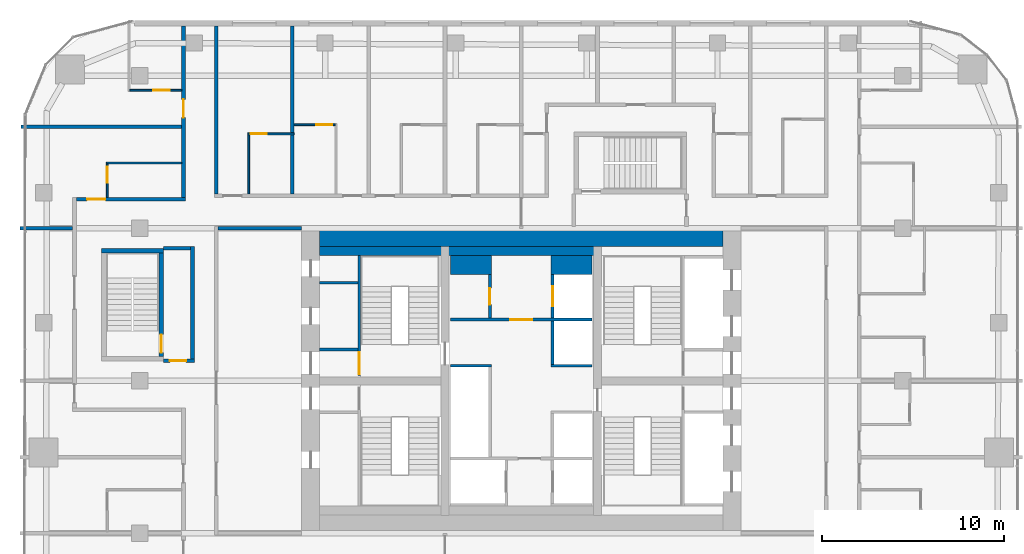
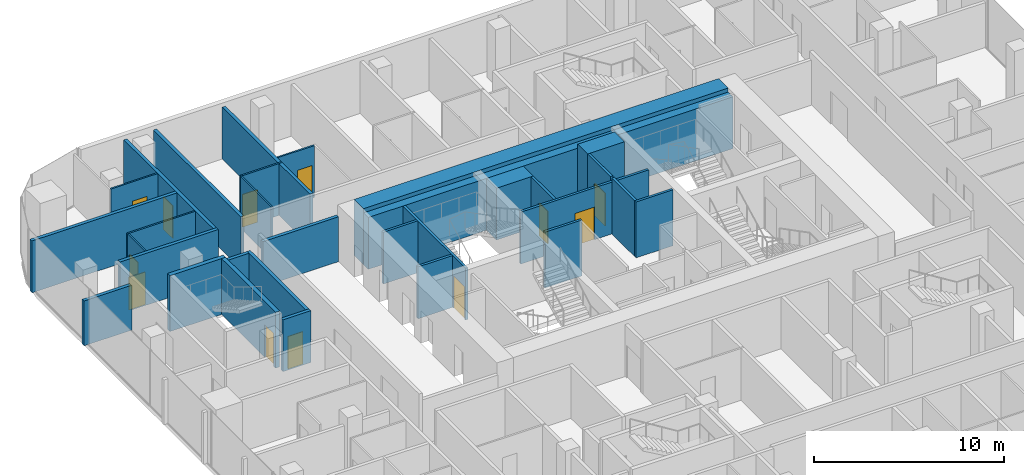
# One storey, part 18 of 23: 31 walls, 12 doors, 12 openings.
"""IFC4 building model written with IfcOpenShell, lengths in metres."""

from ifc_helpers import new_model, si_unit, direction, frame, frame_2d, origin, place, context, subcontext, project, spatial, rectangle, extrude, material, layer, layer_set, type_object, element, fill, save


model = new_model("IFC4")

# Units and contexts
model_context = context("Model", 3, precision=1e-05, world=origin(), true_north=direction((0.0, 1.0)))
body_context = subcontext(model_context, "Body", "Model", "MODEL_VIEW")
ifc_project = project(units=[si_unit("LENGTHUNIT", "METRE"), si_unit("AREAUNIT", "SQUARE_METRE"), si_unit("VOLUMEUNIT", "CUBIC_METRE"), si_unit("PLANEANGLEUNIT", "RADIAN"), si_unit("MASSUNIT", "GRAM", prefix="KILO")], contexts=[model_context])

# Site, building, storey
site_placement = place(None, origin())
site = spatial("IfcSite", under=ifc_project, at=site_placement, CompositionType="ELEMENT")
building_placement = place(site_placement, origin())
building = spatial("IfcBuilding", under=site, at=building_placement, Name="Marenta Gate Hotel Tower", CompositionType="ELEMENT")
storey_placement = place(building_placement, frame((0.0, 0.0, 119.300048828125)))
storey = spatial("IfcBuildingStorey", under=building, at=storey_placement, Name="L26", CompositionType="ELEMENT", Elevation=119.300048828125)

# Walls
ifc_material_1 = material(Name="Concrete blockwork", Category="masonry")
ifc_layer_1 = layer(ifc_material_1, 0.199951171875)
ifc_layer_set_1 = layer_set([ifc_layer_1], Name="Concrete blockwork")
wall_type_1 = type_object("IfcWallType", Name="Core boundary wall 200 REI 180", PredefinedType="PARTITIONING", material=ifc_layer_set_1)
wall_1_placement = place(storey_placement, frame((-16.699951171875, 16.800048828125, 0.0), z_axis=(0.0, 0.0, 1.0), x_axis=(1.0, 0.0, 0.0)))
element("IfcWall", 1, at=wall_1_placement, inside=storey, type_object=wall_type_1, Name="L26-CP-EW-WN", PredefinedType="PARTITIONING", context=body_context, shape_type="SweptSolid", body=[
    extrude(rectangle(XDim=4.599853515625, YDim=0.199951171875, at=frame_2d((2.2998046875, 0.0))), origin(), (0.0, 0.0, 1.0), 2.889892578125),
])
ifc_material_2 = material(Name="Concrete C40", Category="concrete")
ifc_layer_2 = layer(ifc_material_2, 0.5)
ifc_layer_set_2 = layer_set([ifc_layer_2], Name="Concrete C40")
wall_type_2 = type_object("IfcWallType", Name="Core lining wall 500 REI 180", PredefinedType="PARTITIONING", material=ifc_layer_set_2)
wall_2_placement = place(storey_placement, frame((-11.10009765625, 15.550048828125, 0.0), z_axis=(0.0, 0.0, 1.0), x_axis=(1.0, 0.0, 0.0)))
element("IfcWall", 2, at=wall_2_placement, inside=storey, type_object=wall_type_2, Name="L26-CP-LN-N", PredefinedType="PARTITIONING", context=body_context, shape_type="SweptSolid", body=[
    extrude(rectangle(XDim=22.2001953125, YDim=0.5, at=frame_2d((11.10009765625, 0.0))), origin(), (0.0, 0.0, 1.0), 3.33984375),
])

# Wall, opening, door
ifc_material_3 = material(Name="Concrete blockwork", Category="masonry")
ifc_layer_3 = layer(ifc_material_3, 0.14990234375)
ifc_layer_set_3 = layer_set([ifc_layer_3], Name="Concrete blockwork")
wall_type_3 = type_object("IfcWallType", Name="Core lobby partition 150 REI 180", PredefinedType="PARTITIONING", material=ifc_layer_set_3)
wall_3_placement = place(storey_placement, frame((-3.89990234375, 11.77490234375, 0.0), z_axis=(0.0, 0.0, 1.0), x_axis=(1.0, 0.0, 0.0)))
wall_3 = element("IfcWall", 3, at=wall_3_placement, inside=storey, type_object=wall_type_3, Name="L26-CP-CW-N", PredefinedType="PARTITIONING", context=body_context, shape_type="SweptSolid", body=[
    extrude(rectangle(XDim=7.7998046875, YDim=0.14990234375, at=frame_2d((3.89990234375, 0.0))), origin(), (0.0, 0.0, 1.0), 3.33984375),
])
opening_1_placement = place(wall_3_placement, frame((3.300048828125, 0.0, 0.0)))
opening_1 = element("IfcOpeningElement", 4, at=opening_1_placement, cuts=wall_3, Name="Opening FD-FFN", PredefinedType="OPENING", context=body_context, shape_type="SweptSolid", body=[
    extrude(rectangle(XDim=1.199951171875, YDim=2.10009765625, at=frame_2d((0.60009765625, 1.050048828125))), frame((0.0, 0.074951171875, 0.0), z_axis=(0.0, -1.0, 0.0), x_axis=(1.0, 0.0, 0.0)), (0.0, 0.0, 1.0), 0.14990234375),
])
ifc_material_4 = material(Name="Steel", Category="steel")
door_type_1 = type_object("IfcDoorType", Name="Core lobby door 1200x2100 FD60", OperationType="SINGLE_SWING_LEFT", PredefinedType="DOOR", material=ifc_material_4)
door_1_placement = place(opening_1_placement, origin())
door_1 = element("IfcDoor", 5, at=door_1_placement, inside=storey, type_object=door_type_1, Name="FD-FFN", OperationType="SINGLE_SWING_LEFT", OverallHeight=2.10009765625, OverallWidth=1.199951171875, PredefinedType="DOOR", context=body_context, shape_type="SweptSolid", body=[
    extrude(rectangle(XDim=1.199951171875, YDim=2.10009765625, at=frame_2d((0.60009765625, 1.050048828125))), frame((0.0, 0.02490234375, 0.0), z_axis=(0.0, -1.0, 0.0), x_axis=(1.0, 0.0, 0.0)), (0.0, 0.0, 1.0), 0.050048828125),
])
fill(opening_1, door_1)

# Walls
ifc_material_5 = material(Name="Concrete blockwork", Category="masonry")
ifc_layer_4 = layer(ifc_material_5, 1.050048828125)
ifc_layer_set_4 = layer_set([ifc_layer_4], Name="Concrete blockwork")
wall_type_4 = type_object("IfcWallType", Name="Core room partition 1050 REI 180", PredefinedType="PARTITIONING", material=ifc_layer_set_4)
wall_4_placement = place(storey_placement, frame((-3.89990234375, 14.77490234375, 0.0), z_axis=(0.0, 0.0, 1.0), x_axis=(1.0, 0.0, 0.0)))
element("IfcWall", 6, at=wall_4_placement, inside=storey, type_object=wall_type_4, Name="L26-CP-CW-W-riser-N", PredefinedType="PARTITIONING", context=body_context, shape_type="SweptSolid", body=[
    extrude(rectangle(XDim=2.25, YDim=1.050048828125, at=frame_2d((1.125, 0.0))), origin(), (0.0, 0.0, 1.0), 3.33984375),
])
ifc_material_6 = material(Name="Concrete blockwork", Category="masonry")
ifc_layer_5 = layer(ifc_material_6, 0.14990234375)
ifc_layer_set_5 = layer_set([ifc_layer_5], Name="Concrete blockwork")
wall_type_5 = type_object("IfcWallType", Name="Core room partition 150 REI 180", PredefinedType="PARTITIONING", material=ifc_layer_set_5)
for number, where, z_axis, x_axis, name in (
    (7, (-11.10009765625, 10.125, 0.0), (0.0, 0.0, 1.0), (1.0, 0.0, 0.0), "L26-CP-SW-WN-2"),
    (8, (-11.10009765625, 13.800048828125, 0.0), (0.0, 0.0, 1.0), (1.0, 0.0, 0.0), "L26-CP-RW-WN-1"),
):
    element("IfcWall", number, at=place(storey_placement, frame(where, z_axis=z_axis, x_axis=x_axis)), inside=storey, type_object=wall_type_5, Name=name, PredefinedType="PARTITIONING", context=body_context, shape_type="SweptSolid", body=[
        extrude(rectangle(XDim=2.10009765625, YDim=0.14990234375, at=frame_2d((1.050048828125, 0.0))), origin(), (0.0, 0.0, 1.0), 3.33984375),
    ])

# Wall, opening, door
wall_5_placement = place(storey_placement, frame((-1.72509765625, 11.85009765625, 0.0), z_axis=(0.0, 0.0, 1.0), x_axis=(0.0, 1.0, 0.0)))
wall_5 = element("IfcWall", 9, at=wall_5_placement, inside=storey, type_object=wall_type_5, Name="L26-CP-CW-W-riser-front", PredefinedType="PARTITIONING", context=body_context, shape_type="SweptSolid", body=[
    extrude(rectangle(XDim=2.39990234375, YDim=0.14990234375, at=frame_2d((1.199951171875, 0.0))), origin(), (0.0, 0.0, 1.0), 3.33984375),
])
opening_2_placement = place(wall_5_placement, frame((0.75, 0.0, 0.0)))
opening_2 = element("IfcOpeningElement", 10, at=opening_2_placement, cuts=wall_5, Name="Opening RD-CRISER", PredefinedType="OPENING", context=body_context, shape_type="SweptSolid", body=[
    extrude(rectangle(XDim=0.89990234375, YDim=2.10009765625, at=frame_2d((0.449951171875, 1.050048828125))), frame((0.0, 0.074951171875, 0.0), z_axis=(0.0, -1.0, 0.0), x_axis=(1.0, 0.0, 0.0)), (0.0, 0.0, 1.0), 0.14990234375),
])
ifc_material_7 = material(Name="Steel", Category="steel")
door_type_2 = type_object("IfcDoorType", Name="Core riser door 900x2100 FD60", OperationType="SINGLE_SWING_LEFT", PredefinedType="DOOR", material=ifc_material_7)
door_2_placement = place(opening_2_placement, origin())
door_2 = element("IfcDoor", 11, at=door_2_placement, inside=storey, type_object=door_type_2, Name="RD-CRISER", OperationType="SINGLE_SWING_LEFT", OverallHeight=2.10009765625, OverallWidth=0.89990234375, PredefinedType="DOOR", context=body_context, shape_type="SweptSolid", body=[
    extrude(rectangle(XDim=0.89990234375, YDim=2.10009765625, at=frame_2d((0.449951171875, 1.050048828125))), frame((0.0, 0.02490234375, 0.0), z_axis=(0.0, -1.0, 0.0), x_axis=(1.0, 0.0, 0.0)), (0.0, 0.0, 1.0), 0.050048828125),
])
fill(opening_2, door_2)

# Walls
ifc_material_8 = material(Name="Concrete C40", Category="concrete")
ifc_layer_6 = layer(ifc_material_8, 1.050048828125)
ifc_layer_set_6 = layer_set([ifc_layer_6], Name="Concrete C40")
wall_type_6 = type_object("IfcWallType", Name="Core shaft wall 1050 REI 180", PredefinedType="SHEAR", material=ifc_layer_set_6)
wall_6_placement = place(storey_placement, frame((1.64990234375, 14.77490234375, 0.0), z_axis=(0.0, 0.0, 1.0), x_axis=(1.0, 0.0, 0.0)))
element("IfcWall", 12, at=wall_6_placement, inside=storey, type_object=wall_type_6, Name="L26-SHF-CE-N-top", PredefinedType="SHEAR", context=body_context, shape_type="SweptSolid", body=[
    extrude(rectangle(XDim=2.25, YDim=1.050048828125, at=frame_2d((1.125, 0.0))), origin(), (0.0, 0.0, 1.0), 3.599853515625),
])
ifc_material_9 = material(Name="Concrete C40", Category="concrete")
ifc_layer_7 = layer(ifc_material_9, 0.14990234375)
ifc_layer_set_7 = layer_set([ifc_layer_7], Name="Concrete C40")
wall_type_7 = type_object("IfcWallType", Name="Core shaft wall 150 REI 180", PredefinedType="SHEAR", material=ifc_layer_set_7)
wall_7_placement = place(storey_placement, frame((-3.89990234375, 9.22509765625, 0.0), z_axis=(0.0, 0.0, 1.0), x_axis=(1.0, 0.0, 0.0)))
element("IfcWall", 13, at=wall_7_placement, inside=storey, type_object=wall_type_7, Name="L26-SHF-CW-W-sep", PredefinedType="SHEAR", context=body_context, shape_type="SweptSolid", body=[
    extrude(rectangle(XDim=2.25, YDim=0.14990234375, at=frame_2d((1.125, 0.0))), origin(), (0.0, 0.0, 1.0), 3.599853515625),
])

# Wall, opening, door
wall_8_placement = place(storey_placement, frame((1.72509765625, 11.85009765625, 0.0), z_axis=(0.0, 0.0, 1.0), x_axis=(0.0, 1.0, 0.0)))
wall_8 = element("IfcWall", 14, at=wall_8_placement, inside=storey, type_object=wall_type_7, Name="L26-SHF-CE-N-front2", PredefinedType="SHEAR", context=body_context, shape_type="SweptSolid", body=[
    extrude(rectangle(XDim=2.39990234375, YDim=0.14990234375, at=frame_2d((1.199951171875, 0.0))), origin(), (0.0, 0.0, 1.0), 3.599853515625),
])
opening_3_placement = place(wall_8_placement, frame((0.64990234375, 0.0, 0.0)))
opening_3 = element("IfcOpeningElement", 15, at=opening_3_placement, cuts=wall_8, Name="Opening LD-FF2", PredefinedType="OPENING", context=body_context, shape_type="SweptSolid", body=[
    extrude(rectangle(XDim=1.10009765625, YDim=2.10009765625, at=frame_2d((0.550048828125, 1.050048828125))), frame((0.0, 0.074951171875, 0.0), z_axis=(0.0, -1.0, 0.0), x_axis=(1.0, 0.0, 0.0)), (0.0, 0.0, 1.0), 0.14990234375),
])
ifc_material_10 = material(Name="Steel", Category="steel")
door_type_3 = type_object("IfcDoorType", Name="Core lift landing door 1100x2100 E 60", OperationType="SLIDING_TO_LEFT", PredefinedType="DOOR", material=ifc_material_10)
door_3_placement = place(opening_3_placement, origin())
door_3 = element("IfcDoor", 16, at=door_3_placement, inside=storey, type_object=door_type_3, Name="LD-FF2", OperationType="SLIDING_TO_LEFT", OverallHeight=2.10009765625, OverallWidth=1.10009765625, PredefinedType="DOOR", context=body_context, shape_type="SweptSolid", body=[
    extrude(rectangle(XDim=1.10009765625, YDim=2.10009765625, at=frame_2d((0.550048828125, 1.050048828125))), frame((0.0, 0.02490234375, 0.0), z_axis=(0.0, -1.0, 0.0), x_axis=(1.0, 0.0, 0.0)), (0.0, 0.0, 1.0), 0.050048828125),
])
fill(opening_3, door_3)

# Walls
wall_9_placement = place(storey_placement, frame((1.64990234375, 9.22509765625, 0.0), z_axis=(0.0, 0.0, 1.0), x_axis=(1.0, 0.0, 0.0)))
element("IfcWall", 17, at=wall_9_placement, inside=storey, type_object=wall_type_7, Name="L26-SHF-CE-sep2", PredefinedType="SHEAR", context=body_context, shape_type="SweptSolid", body=[
    extrude(rectangle(XDim=2.25, YDim=0.14990234375, at=frame_2d((1.125, 0.0))), origin(), (0.0, 0.0, 1.0), 3.599853515625),
])
wall_10_placement = place(storey_placement, frame((1.72509765625, 9.300048828125, 0.0), z_axis=(0.0, 0.0, 1.0), x_axis=(0.0, 1.0, 0.0)))
element("IfcWall", 18, at=wall_10_placement, inside=storey, type_object=wall_type_7, Name="L26-SHF-CE-front-2", PredefinedType="SHEAR", context=body_context, shape_type="SweptSolid", body=[
    extrude(rectangle(XDim=2.39990234375, YDim=0.14990234375, at=frame_2d((1.199951171875, 0.0))), origin(), (0.0, 0.0, 1.0), 3.599853515625),
])

# Wall, opening, door
ifc_material_11 = material(Name="Concrete C40", Category="concrete")
ifc_layer_8 = layer(ifc_material_11, 0.14990234375)
ifc_layer_set_8 = layer_set([ifc_layer_8], Name="Concrete C40")
wall_type_8 = type_object("IfcWallType", Name="Core stair enclosure wall 150 REI 180", PredefinedType="SHEAR", material=ifc_layer_set_8)
wall_11_placement = place(storey_placement, frame((-8.925048828125, 8.699951171875, 0.0), z_axis=(0.0, 0.0, 1.0), x_axis=(0.0, 1.0, 0.0)))
wall_11 = element("IfcWall", 19, at=wall_11_placement, inside=storey, type_object=wall_type_8, Name="L26-SHF-SW-WN-3", PredefinedType="SHEAR", context=body_context, shape_type="SweptSolid", body=[
    extrude(rectangle(XDim=6.60009765625, YDim=0.14990234375, at=frame_2d((3.300048828125, 0.0))), origin(), (0.0, 0.0, 1.0), 3.33984375),
])
opening_4_placement = place(wall_11_placement, frame((0.074951171875, 0.0, 0.0)))
opening_4 = element("IfcOpeningElement", 20, at=opening_4_placement, cuts=wall_11, Name="Opening SD-WN", PredefinedType="OPENING", context=body_context, shape_type="SweptSolid", body=[
    extrude(rectangle(XDim=1.199951171875, YDim=2.10009765625, at=frame_2d((0.60009765625, 1.050048828125))), frame((0.0, 0.074951171875, 0.0), z_axis=(0.0, -1.0, 0.0), x_axis=(1.0, 0.0, 0.0)), (0.0, 0.0, 1.0), 0.14990234375),
])
ifc_material_12 = material(Name="Steel", Category="steel")
door_type_4 = type_object("IfcDoorType", Name="Core stair door 1200x2100 FD60", OperationType="SINGLE_SWING_LEFT", PredefinedType="DOOR", material=ifc_material_12)
door_4_placement = place(opening_4_placement, origin())
door_4 = element("IfcDoor", 21, at=door_4_placement, inside=storey, type_object=door_type_4, Name="SD-WN", OperationType="SINGLE_SWING_LEFT", OverallHeight=2.10009765625, OverallWidth=1.199951171875, PredefinedType="DOOR", context=body_context, shape_type="SweptSolid", body=[
    extrude(rectangle(XDim=1.199951171875, YDim=2.10009765625, at=frame_2d((0.60009765625, 1.050048828125))), frame((0.0, 0.02490234375, 0.0), z_axis=(0.0, -1.0, 0.0), x_axis=(1.0, 0.0, 0.0)), (0.0, 0.0, 1.0), 0.050048828125),
])
fill(opening_4, door_4)

# Walls
ifc_material_13 = material(Name="Concrete C70", Category="concrete")
ifc_layer_9 = layer(ifc_material_13, 1.0)
ifc_layer_set_9 = layer_set([ifc_layer_9], Name="Concrete C70")
wall_type_9 = type_object("IfcWallType", Name="Core wall 1000 C70", PredefinedType="SHEAR", material=ifc_layer_set_9)
wall_12_placement = place(storey_placement, frame((-11.10009765625, 16.300048828125, 0.0), z_axis=(0.0, 0.0, 1.0), x_axis=(1.0, 0.0, 0.0)))
element("IfcWall", 22, at=wall_12_placement, inside=storey, type_object=wall_type_9, Name="L26-CORE-N", PredefinedType="SHEAR", context=body_context, shape_type="SweptSolid", body=[
    extrude(rectangle(XDim=22.2001953125, YDim=1.0, at=frame_2d((11.10009765625, 0.0))), origin(), (0.0, 0.0, 1.0), 3.599853515625),
])
ifc_material_14 = material(Name="Concrete C40", Category="concrete")
ifc_layer_10 = layer(ifc_material_14, 0.25)
ifc_layer_set_10 = layer_set([ifc_layer_10], Name="Concrete C40")
wall_type_10 = type_object("IfcWallType", Name="Remote stair enclosure wall 250 REI 180", PredefinedType="SHEAR", material=ifc_layer_set_10)
wall_13_placement = place(storey_placement, frame((-23.10009765625, 15.574951171875, 0.099853515625), z_axis=(0.0, 0.0, 1.0), x_axis=(1.0, 0.0, 0.0)))
element("IfcWall", 23, at=wall_13_placement, inside=storey, type_object=wall_type_10, Name="L26-RS-Z1-3-W2", PredefinedType="SHEAR", context=body_context, shape_type="SweptSolid", body=[
    extrude(rectangle(XDim=3.400146484375, YDim=0.25, at=frame_2d((1.7001953125, 0.0))), origin(), (0.0, 0.0, 1.0), 3.60009765625),
])

# Wall, opening, door
wall_14_placement = place(storey_placement, frame((-19.824951171875, 9.75, 0.099853515625), z_axis=(0.0, 0.0, 1.0), x_axis=(0.0, 1.0, 0.0)))
wall_14 = element("IfcWall", 24, at=wall_14_placement, inside=storey, type_object=wall_type_10, Name="L26-RS-Z1-3-W4", PredefinedType="SHEAR", context=body_context, shape_type="SweptSolid", body=[
    extrude(rectangle(XDim=5.699951171875, YDim=0.25, at=frame_2d((2.85009765625, 0.0))), origin(), (0.0, 0.0, 1.0), 3.60009765625),
])
opening_5_placement = place(wall_14_placement, frame((0.199951171875, 0.0, 0.0)))
opening_5 = element("IfcOpeningElement", 25, at=opening_5_placement, cuts=wall_14, Name="Opening VD", PredefinedType="OPENING", context=body_context, shape_type="SweptSolid", body=[
    extrude(rectangle(XDim=1.0, YDim=2.10009765625, at=frame_2d((0.5, 1.050048828125))), frame((0.0, 0.125, 0.0), z_axis=(0.0, -1.0, 0.0), x_axis=(1.0, 0.0, 0.0)), (0.0, 0.0, 1.0), 0.25),
])
ifc_material_15 = material(Name="Steel", Category="steel")
door_type_5 = type_object("IfcDoorType", Name="Stair vestibule door 1000x2100 FD60", OperationType="SINGLE_SWING_LEFT", PredefinedType="DOOR", material=ifc_material_15)
door_5_placement = place(opening_5_placement, origin())
door_5 = element("IfcDoor", 26, at=door_5_placement, inside=storey, type_object=door_type_5, Name="VD", OperationType="SINGLE_SWING_LEFT", OverallHeight=2.10009765625, OverallWidth=1.0, PredefinedType="DOOR", context=body_context, shape_type="SweptSolid", body=[
    extrude(rectangle(XDim=1.0, YDim=2.10009765625, at=frame_2d((0.5, 1.050048828125))), frame((0.0, 0.02490234375, 0.0), z_axis=(0.0, -1.0, 0.0), x_axis=(1.0, 0.0, 0.0)), (0.0, 0.0, 1.0), 0.050048828125),
])
fill(opening_5, door_5)

# Wall
ifc_material_16 = material(Name="Gypsum board on steel stud", Category="steel")
ifc_layer_11 = layer(ifc_material_16, 0.199951171875)
ifc_layer_set_11 = layer_set([ifc_layer_11], Name="Gypsum board on steel stud")
wall_type_11 = type_object("IfcWallType", Name="Room corridor wall 200 EI 60", PredefinedType="PARTITIONING", material=ifc_layer_set_11)
wall_15_placement = place(storey_placement, frame((-16.800048828125, 18.699951171875, 0.0), z_axis=(0.0, 0.0, 1.0), x_axis=(0.0, 1.0, 0.0)))
element("IfcWall", 27, at=wall_15_placement, inside=storey, type_object=wall_type_11, Name="L26-PTN-W099", PredefinedType="PARTITIONING", context=body_context, shape_type="SweptSolid", body=[
    extrude(rectangle(XDim=9.239990234375, YDim=0.199951171875, at=frame_2d((4.6201171875, 0.0))), origin(), (0.0, 0.0, 1.0), 3.33984375),
])

# Wall, opening, door
wall_16_placement = place(storey_placement, frame((-24.5, 18.39990234375, 0.0), z_axis=(0.0, 0.0, 1.0), x_axis=(1.0, 0.0, 0.0)))
wall_16 = element("IfcWall", 28, at=wall_16_placement, inside=storey, type_object=wall_type_11, Name="L26-PTN-W103", PredefinedType="PARTITIONING", context=body_context, shape_type="SweptSolid", body=[
    extrude(rectangle(XDim=6.0, YDim=0.199951171875, at=frame_2d((3.0, 0.0))), origin(), (0.0, 0.0, 1.0), 3.33984375),
])
opening_6_placement = place(wall_16_placement, frame((0.60009765625, 0.0, 0.0)))
opening_6 = element("IfcOpeningElement", 29, at=opening_6_placement, cuts=wall_16, Name="Opening G09-64", PredefinedType="OPENING", context=body_context, shape_type="SweptSolid", body=[
    extrude(rectangle(XDim=1.0, YDim=2.10009765625, at=frame_2d((0.5, 1.050048828125))), frame((0.0, 0.10009765625, 0.0), z_axis=(0.0, -1.0, 0.0), x_axis=(1.0, 0.0, 0.0)), (0.0, 0.0, 1.0), 0.199951171875),
])
ifc_material_17 = material(Name="Timber door leaf", Category="wood")
door_type_6 = type_object("IfcDoorType", Name="Guest room door 1000x2100 EI 30", OperationType="NOTDEFINED", PredefinedType="DOOR", material=ifc_material_17)
door_6_placement = place(opening_6_placement, origin())
door_6 = element("IfcDoor", 30, at=door_6_placement, inside=storey, type_object=door_type_6, Name="L26-PD-D064", OperationType="SINGLE_SWING_RIGHT", OverallHeight=2.10009765625, OverallWidth=1.0, PredefinedType="DOOR", context=body_context, shape_type="SweptSolid", body=[
    extrude(rectangle(XDim=1.0, YDim=2.10009765625, at=frame_2d((0.5, 1.050048828125))), frame((0.0, 0.02490234375, 0.0), z_axis=(0.0, -1.0, 0.0), x_axis=(1.0, 0.0, 0.0)), (0.0, 0.0, 1.0), 0.050048828125),
])
fill(opening_6, door_6)

wall_17_placement = place(storey_placement, frame((-18.60009765625, 18.5, 0.0), z_axis=(0.0, 0.0, 1.0), x_axis=(0.0, 1.0, 0.0)))
wall_17 = element("IfcWall", 31, at=wall_17_placement, inside=storey, type_object=wall_type_11, Name="L26-PTN-W105", PredefinedType="PARTITIONING", context=body_context, shape_type="SweptSolid", body=[
    extrude(rectangle(XDim=9.43994140625, YDim=0.199951171875, at=frame_2d((4.719970703125, 0.0))), origin(), (0.0, 0.0, 1.0), 3.33984375),
])
opening_7_placement = place(wall_17_placement, frame((4.39990234375, 0.0, 0.0)))
opening_7 = element("IfcOpeningElement", 32, at=opening_7_placement, cuts=wall_17, Name="Opening G09-66", PredefinedType="OPENING", context=body_context, shape_type="SweptSolid", body=[
    extrude(rectangle(XDim=1.0, YDim=2.10009765625, at=frame_2d((0.5, 1.050048828125))), frame((0.0, 0.10009765625, 0.0), z_axis=(0.0, -1.0, 0.0), x_axis=(1.0, 0.0, 0.0)), (0.0, 0.0, 1.0), 0.199951171875),
])
door_7_placement = place(opening_7_placement, origin())
door_7 = element("IfcDoor", 33, at=door_7_placement, inside=storey, type_object=door_type_6, Name="L26-PD-D066", OperationType="SINGLE_SWING_LEFT", OverallHeight=2.10009765625, OverallWidth=1.0, PredefinedType="DOOR", context=body_context, shape_type="SweptSolid", body=[
    extrude(rectangle(XDim=1.0, YDim=2.10009765625, at=frame_2d((0.5, 1.050048828125))), frame((0.0, 0.02490234375, 0.0), z_axis=(0.0, -1.0, 0.0), x_axis=(1.0, 0.0, 0.0)), (0.0, 0.0, 1.0), 0.050048828125),
])
fill(opening_7, door_7)

ifc_material_18 = material(Name="Concrete blockwork", Category="masonry")
ifc_layer_12 = layer(ifc_material_18, 0.199951171875)
ifc_layer_set_12 = layer_set([ifc_layer_12], Name="Concrete blockwork")
wall_type_12 = type_object("IfcWallType", Name="Room corridor wall 200 REI 180", PredefinedType="PARTITIONING", material=ifc_layer_set_12)
wall_18_placement = place(storey_placement, frame((-19.699951171875, 9.5, 0.0), z_axis=(0.0, 0.0, 1.0), x_axis=(1.0, 0.0, 0.0)))
wall_18 = element("IfcWall", 34, at=wall_18_placement, inside=storey, type_object=wall_type_12, Name="L26-PTN-W085", PredefinedType="PARTITIONING", context=body_context, shape_type="SweptSolid", body=[
    extrude(rectangle(XDim=1.699951171875, YDim=0.199951171875, at=frame_2d((0.85009765625, 0.0))), origin(), (0.0, 0.0, 1.0), 3.33984375),
])
opening_8_placement = place(wall_18_placement, frame((0.35009765625, 0.0, 0.0)))
opening_8 = element("IfcOpeningElement", 35, at=opening_8_placement, cuts=wall_18, Name="Opening G09-68", PredefinedType="OPENING", context=body_context, shape_type="SweptSolid", body=[
    extrude(rectangle(XDim=0.89990234375, YDim=2.10009765625, at=frame_2d((0.449951171875, 1.050048828125))), frame((0.0, 0.10009765625, 0.0), z_axis=(0.0, -1.0, 0.0), x_axis=(1.0, 0.0, 0.0)), (0.0, 0.0, 1.0), 0.199951171875),
])
ifc_material_19 = material(Name="Hollow steel door set", Category="steel")
door_type_7 = type_object("IfcDoorType", Name="Stair vestibule door 900x2100 EI 60", OperationType="NOTDEFINED", PredefinedType="DOOR", material=ifc_material_19)
door_8_placement = place(opening_8_placement, origin())
door_8 = element("IfcDoor", 36, at=door_8_placement, inside=storey, type_object=door_type_7, Name="L26-PD-D068", OperationType="SINGLE_SWING_RIGHT", OverallHeight=2.10009765625, OverallWidth=0.89990234375, PredefinedType="DOOR", context=body_context, shape_type="SweptSolid", body=[
    extrude(rectangle(XDim=0.89990234375, YDim=2.10009765625, at=frame_2d((0.449951171875, 1.050048828125))), frame((0.0, 0.02490234375, 0.0), z_axis=(0.0, -1.0, 0.0), x_axis=(1.0, 0.0, 0.0)), (0.0, 0.0, 1.0), 0.050048828125),
])
fill(opening_8, door_8)

# Walls
wall_19_placement = place(storey_placement, frame((-19.699951171875, 15.699951171875, 0.0), z_axis=(0.0, 0.0, 1.0), x_axis=(1.0, 0.0, 0.0)))
element("IfcWall", 37, at=wall_19_placement, inside=storey, type_object=wall_type_12, Name="L26-PTN-W096", PredefinedType="PARTITIONING", context=body_context, shape_type="SweptSolid", body=[
    extrude(rectangle(XDim=1.5, YDim=0.199951171875, at=frame_2d((0.75, 0.0))), origin(), (0.0, 0.0, 1.0), 3.33984375),
])
wall_20_placement = place(storey_placement, frame((-18.10009765625, 9.60009765625, 0.0), z_axis=(0.0, 0.0, 1.0), x_axis=(0.0, 1.0, 0.0)))
element("IfcWall", 38, at=wall_20_placement, inside=storey, type_object=wall_type_12, Name="L26-PTN-W102", PredefinedType="PARTITIONING", context=body_context, shape_type="SweptSolid", body=[
    extrude(rectangle(XDim=6.199951171875, YDim=0.199951171875, at=frame_2d((3.10009765625, 0.0))), origin(), (0.0, 0.0, 1.0), 3.33984375),
])
ifc_material_20 = material(Name="Gypsum board on steel stud", Category="steel")
ifc_layer_13 = layer(ifc_material_20, 0.10009765625)
ifc_layer_set_13 = layer_set([ifc_layer_13], Name="Gypsum board on steel stud")
wall_type_13 = type_object("IfcWallType", Name="Room partition 100", PredefinedType="PARTITIONING", material=ifc_layer_set_13)
wall_21_placement = place(storey_placement, frame((-15.0, 18.699951171875, 0.0), z_axis=(0.0, 0.0, 1.0), x_axis=(0.0, 1.0, 0.0)))
element("IfcWall", 39, at=wall_21_placement, inside=storey, type_object=wall_type_13, Name="L26-PTN-W095", PredefinedType="PARTITIONING", context=body_context, shape_type="SweptSolid", body=[
    extrude(rectangle(XDim=3.25, YDim=0.10009765625, at=frame_2d((1.625, 0.0))), origin(), (0.0, 0.0, 1.0), 3.33984375),
])
wall_22_placement = place(storey_placement, frame((-22.85009765625, 20.39990234375, 0.0), z_axis=(0.0, 0.0, 1.0), x_axis=(1.0, 0.0, 0.0)))
element("IfcWall", 40, at=wall_22_placement, inside=storey, type_object=wall_type_13, Name="L26-PTN-W108", PredefinedType="PARTITIONING", context=body_context, shape_type="SweptSolid", body=[
    extrude(rectangle(XDim=4.150146484375, YDim=0.10009765625, at=frame_2d((2.0751953125, 0.0))), origin(), (0.0, 0.0, 1.0), 3.33984375),
])

# Wall, opening, door
wall_23_placement = place(storey_placement, frame((-15.050048828125, 22.0, 0.0), z_axis=(0.0, 0.0, 1.0), x_axis=(1.0, 0.0, 0.0)))
wall_23 = element("IfcWall", 41, at=wall_23_placement, inside=storey, type_object=wall_type_13, Name="L26-PTN-W114", PredefinedType="PARTITIONING", context=body_context, shape_type="SweptSolid", body=[
    extrude(rectangle(XDim=2.550048828125, YDim=0.10009765625, at=frame_2d((1.27490234375, 0.0))), origin(), (0.0, 0.0, 1.0), 3.33984375),
])
opening_9_placement = place(wall_23_placement, frame((0.14990234375, 0.0, 0.0)))
opening_9 = element("IfcOpeningElement", 42, at=opening_9_placement, cuts=wall_23, Name="Opening G09-27", PredefinedType="OPENING", context=body_context, shape_type="SweptSolid", body=[
    extrude(rectangle(XDim=0.89990234375, YDim=2.10009765625, at=frame_2d((0.449951171875, 1.050048828125))), frame((0.0, 0.050048828125, 0.0), z_axis=(0.0, -1.0, 0.0), x_axis=(1.0, 0.0, 0.0)), (0.0, 0.0, 1.0), 0.10009765625),
])
ifc_material_21 = material(Name="Timber door leaf", Category="wood")
door_type_8 = type_object("IfcDoorType", Name="Guest bathroom door 900x2100", OperationType="NOTDEFINED", PredefinedType="DOOR", material=ifc_material_21)
door_9_placement = place(opening_9_placement, origin())
door_9 = element("IfcDoor", 43, at=door_9_placement, inside=storey, type_object=door_type_8, Name="L26-PD-D027", OperationType="SINGLE_SWING_RIGHT", OverallHeight=2.10009765625, OverallWidth=0.89990234375, PredefinedType="DOOR", context=body_context, shape_type="SweptSolid", body=[
    extrude(rectangle(XDim=0.89990234375, YDim=2.10009765625, at=frame_2d((0.449951171875, 1.050048828125))), frame((0.0, 0.02490234375, 0.0), z_axis=(0.0, -1.0, 0.0), x_axis=(1.0, 0.0, 0.0)), (0.0, 0.0, 1.0), 0.050048828125),
])
fill(opening_9, door_9)

wall_24_placement = place(storey_placement, frame((-12.5, 22.5, 0.0), z_axis=(0.0, 0.0, 1.0), x_axis=(1.0, 0.0, 0.0)))
wall_24 = element("IfcWall", 44, at=wall_24_placement, inside=storey, type_object=wall_type_13, Name="L26-PTN-W119", PredefinedType="PARTITIONING", context=body_context, shape_type="SweptSolid", body=[
    extrude(rectangle(XDim=2.25, YDim=0.10009765625, at=frame_2d((1.125, 0.0))), origin(), (0.0, 0.0, 1.0), 3.33984375),
])
opening_10_placement = place(wall_24_placement, frame((1.199951171875, 0.0, 0.0)))
opening_10 = element("IfcOpeningElement", 45, at=opening_10_placement, cuts=wall_24, Name="Opening G09-29", PredefinedType="OPENING", context=body_context, shape_type="SweptSolid", body=[
    extrude(rectangle(XDim=0.89990234375, YDim=2.10009765625, at=frame_2d((0.449951171875, 1.050048828125))), frame((0.0, 0.050048828125, 0.0), z_axis=(0.0, -1.0, 0.0), x_axis=(1.0, 0.0, 0.0)), (0.0, 0.0, 1.0), 0.10009765625),
])
door_10_placement = place(opening_10_placement, origin())
door_10 = element("IfcDoor", 46, at=door_10_placement, inside=storey, type_object=door_type_8, Name="L26-PD-D029", OperationType="SINGLE_SWING_LEFT", OverallHeight=2.10009765625, OverallWidth=0.89990234375, PredefinedType="DOOR", context=body_context, shape_type="SweptSolid", body=[
    extrude(rectangle(XDim=0.89990234375, YDim=2.10009765625, at=frame_2d((0.449951171875, 1.050048828125))), frame((0.0, 0.02490234375, 0.0), z_axis=(0.0, -1.0, 0.0), x_axis=(1.0, 0.0, 0.0)), (0.0, 0.0, 1.0), 0.050048828125),
])
fill(opening_10, door_10)

wall_25_placement = place(storey_placement, frame((-22.800048828125, 18.5, 0.0), z_axis=(0.0, 0.0, 1.0), x_axis=(0.0, 1.0, 0.0)))
wall_25 = element("IfcWall", 47, at=wall_25_placement, inside=storey, type_object=wall_type_13, Name="L26-PTN-W123", PredefinedType="PARTITIONING", context=body_context, shape_type="SweptSolid", body=[
    extrude(rectangle(XDim=1.85009765625, YDim=0.10009765625, at=frame_2d((0.925048828125, 0.0))), origin(), (0.0, 0.0, 1.0), 3.33984375),
])
opening_11_placement = place(wall_25_placement, frame((0.800048828125, 0.0, 0.0)))
opening_11 = element("IfcOpeningElement", 48, at=opening_11_placement, cuts=wall_25, Name="Opening G09-65", PredefinedType="OPENING", context=body_context, shape_type="SweptSolid", body=[
    extrude(rectangle(XDim=0.89990234375, YDim=2.10009765625, at=frame_2d((0.449951171875, 1.050048828125))), frame((0.0, 0.050048828125, 0.0), z_axis=(0.0, -1.0, 0.0), x_axis=(1.0, 0.0, 0.0)), (0.0, 0.0, 1.0), 0.10009765625),
])
door_11_placement = place(opening_11_placement, origin())
door_11 = element("IfcDoor", 49, at=door_11_placement, inside=storey, type_object=door_type_8, Name="L26-PD-D065", OperationType="SINGLE_SWING_LEFT", OverallHeight=2.10009765625, OverallWidth=0.89990234375, PredefinedType="DOOR", context=body_context, shape_type="SweptSolid", body=[
    extrude(rectangle(XDim=0.89990234375, YDim=2.10009765625, at=frame_2d((0.449951171875, 1.050048828125))), frame((0.0, 0.02490234375, 0.0), z_axis=(0.0, -1.0, 0.0), x_axis=(1.0, 0.0, 0.0)), (0.0, 0.0, 1.0), 0.050048828125),
])
fill(opening_11, door_11)

wall_26_placement = place(storey_placement, frame((-21.550048828125, 24.39990234375, 0.0), z_axis=(0.0, 0.0, 1.0), x_axis=(1.0, 0.0, 0.0)))
wall_26 = element("IfcWall", 50, at=wall_26_placement, inside=storey, type_object=wall_type_13, Name="L26-PTN-W126", PredefinedType="PARTITIONING", context=body_context, shape_type="SweptSolid", body=[
    extrude(rectangle(XDim=2.85009765625, YDim=0.10009765625, at=frame_2d((1.425048828125, 0.0))), origin(), (0.0, 0.0, 1.0), 3.33984375),
])
opening_12_placement = place(wall_26_placement, frame((1.300048828125, 0.0, 0.0)))
opening_12 = element("IfcOpeningElement", 51, at=opening_12_placement, cuts=wall_26, Name="Opening G09-67", PredefinedType="OPENING", context=body_context, shape_type="SweptSolid", body=[
    extrude(rectangle(XDim=0.89990234375, YDim=2.10009765625, at=frame_2d((0.449951171875, 1.050048828125))), frame((0.0, 0.050048828125, 0.0), z_axis=(0.0, -1.0, 0.0), x_axis=(1.0, 0.0, 0.0)), (0.0, 0.0, 1.0), 0.10009765625),
])
door_12_placement = place(opening_12_placement, origin())
door_12 = element("IfcDoor", 52, at=door_12_placement, inside=storey, type_object=door_type_8, Name="L26-PD-D067", OperationType="SINGLE_SWING_LEFT", OverallHeight=2.10009765625, OverallWidth=0.89990234375, PredefinedType="DOOR", context=body_context, shape_type="SweptSolid", body=[
    extrude(rectangle(XDim=0.89990234375, YDim=2.10009765625, at=frame_2d((0.449951171875, 1.050048828125))), frame((0.0, 0.02490234375, 0.0), z_axis=(0.0, -1.0, 0.0), x_axis=(1.0, 0.0, 0.0)), (0.0, 0.0, 1.0), 0.050048828125),
])
fill(opening_12, door_12)

# Walls
ifc_material_22 = material(Name="Gypsum board on steel stud", Category="steel")
ifc_layer_14 = layer(ifc_material_22, 0.199951171875)
ifc_layer_set_14 = layer_set([ifc_layer_14], Name="Gypsum board on steel stud")
wall_type_14 = type_object("IfcWallType", Name="Room party wall 200 EI 60", PredefinedType="PARTITIONING", material=ifc_layer_set_14)
wall_27_placement = place(storey_placement, frame((-12.60009765625, 18.699951171875, 0.0), z_axis=(0.0, 0.0, 1.0), x_axis=(0.0, 1.0, 0.0)))
element("IfcWall", 53, at=wall_27_placement, inside=storey, type_object=wall_type_14, Name="L26-PTN-W092", PredefinedType="PARTITIONING", context=body_context, shape_type="SweptSolid", body=[
    extrude(rectangle(XDim=9.239990234375, YDim=0.199951171875, at=frame_2d((4.6201171875, 0.0))), origin(), (0.0, 0.0, 1.0), 3.33984375),
])
wall_28_placement = place(storey_placement, frame((-27.60009765625, 16.800048828125, 0.0), z_axis=(0.0, 0.0, 1.0), x_axis=(1.0, 0.0, 0.0)))
element("IfcWall", 54, at=wall_28_placement, inside=storey, type_object=wall_type_14, Name="L26-PTN-W100", PredefinedType="PARTITIONING", context=body_context, shape_type="SweptSolid", body=[
    extrude(rectangle(XDim=2.900146484375, YDim=0.199951171875, at=frame_2d((1.4501953125, 0.0))), origin(), (0.0, 0.0, 1.0), 2.889892578125),
])
wall_29_placement = place(storey_placement, frame((-27.547119140625, 22.39990234375, 0.0), z_axis=(0.0, 0.0, 1.0), x_axis=(1.0, 0.0, 0.0)))
element("IfcWall", 55, at=wall_29_placement, inside=storey, type_object=wall_type_14, Name="L26-PTN-W117", PredefinedType="PARTITIONING", context=body_context, shape_type="SweptSolid", body=[
    extrude(rectangle(XDim=8.84716796875, YDim=0.199951171875, at=frame_2d((4.423583984375, 0.0))), origin(), (0.0, 0.0, 1.0), 3.33984375),
])

save(model, "model.ifc")
